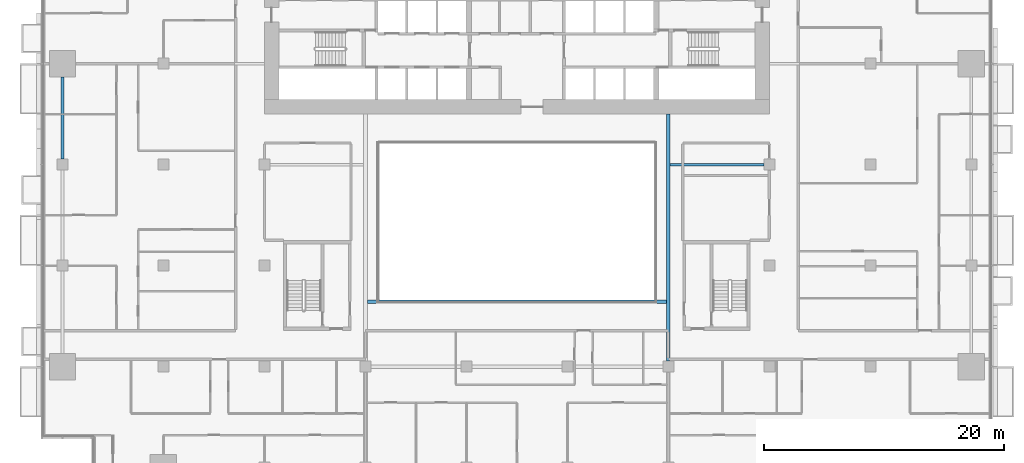
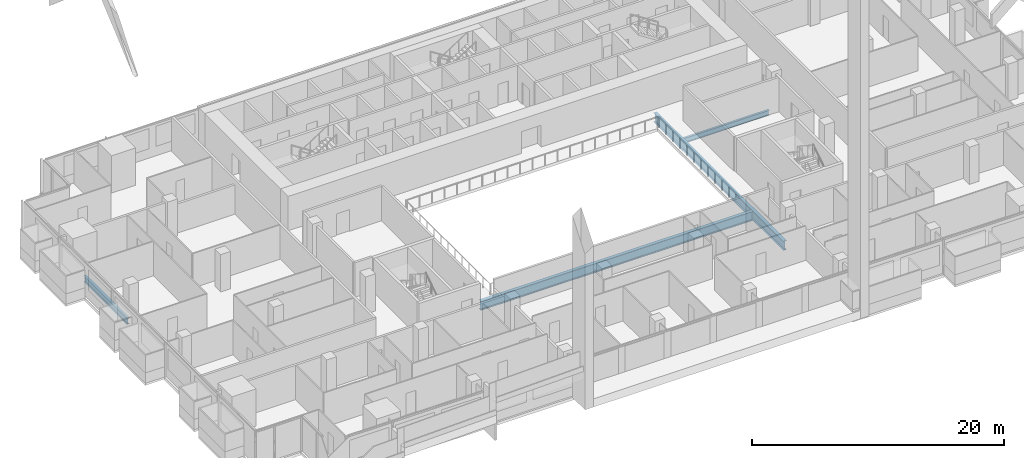
# One storey, part 7 of 30: 4 beams.
"""IFC4 building model written with IfcOpenShell, lengths in metres."""

from ifc_helpers import new_model, si_unit, direction, frame, origin, origin_2d, place, context, subcontext, project, spatial, i_section, extrude, material, material_profile, profile_set, type_object, element, save


model = new_model("IFC4")

# Units and contexts
model_context = context("Model", 3, precision=1e-05, world=origin(), true_north=direction((0.0, 1.0)))
body_context = subcontext(model_context, "Body", "Model", "MODEL_VIEW")
ifc_project = project(units=[si_unit("LENGTHUNIT", "METRE"), si_unit("AREAUNIT", "SQUARE_METRE"), si_unit("VOLUMEUNIT", "CUBIC_METRE"), si_unit("PLANEANGLEUNIT", "RADIAN"), si_unit("MASSUNIT", "GRAM", prefix="KILO")], contexts=[model_context])

# Site, building, storey
site_placement = place(None, origin())
site = spatial("IfcSite", under=ifc_project, at=site_placement, CompositionType="ELEMENT")
building_placement = place(site_placement, origin())
building = spatial("IfcBuilding", under=site, at=building_placement, Name="Saffron Gate Tower", CompositionType="ELEMENT")
storey_placement = place(building_placement, frame((0.0, 0.0, 37.199951171875)))
storey = spatial("IfcBuildingStorey", under=building, at=storey_placement, Name="L07", CompositionType="ELEMENT", Elevation=37.199951171875)

# Beams
ifc_material = material(Name="Structural steel S355", Category="steel")
ifc_material_profile_1 = material_profile(ifc_material, i_section(OverallWidth=0.199951171875, OverallDepth=0.5, WebThickness=0.01025390625, FlangeThickness=0.01611328125, FilletRadius=0.02099609375, at=origin_2d()))
ifc_profile_set_1 = profile_set([ifc_material_profile_1], Name="Structural steel S355")
beam_type_1 = type_object("IfcBeamType", Name="B10 IPE 500", PredefinedType="BEAM", material=ifc_profile_set_1)
beam_1_placement = place(storey_placement, frame((108.14990234375, 57.0, -0.530029296875), z_axis=(-1.0, 0.0, 0.0), x_axis=(0.0, -1.0, 0.0)))
element("IfcBeam", 1, at=beam_1_placement, inside=storey, type_object=beam_type_1, Name="B10 CORE TIE BEAM", PredefinedType="BEAM", context=body_context, shape_type="SweptSolid", body=[
    extrude(i_section(OverallWidth=0.199951171875, OverallDepth=0.5, WebThickness=0.01025390625, FlangeThickness=0.01611328125, FilletRadius=0.02099609375, at=origin_2d()), origin(), (0.0, 0.0, 1.0), 7.7998046875),
])
ifc_material_profile_2 = material_profile(ifc_material, i_section(OverallWidth=0.219970703125, OverallDepth=0.60009765625, WebThickness=0.011962890625, FlangeThickness=0.01904296875, FilletRadius=0.02392578125, at=origin_2d()))
ifc_profile_set_2 = profile_set([ifc_material_profile_2], Name="Structural steel S355")
beam_type_2 = type_object("IfcBeamType", Name="B16 IPE 600", PredefinedType="SPANDREL", material=ifc_profile_set_2)
beam_2_placement = place(storey_placement, frame((49.800048828125, 57.449951171875, -0.579833984375), z_axis=(0.0, 1.0, 0.0), x_axis=(-1.0, 0.0, 0.0)))
element("IfcBeam", 2, at=beam_2_placement, inside=storey, type_object=beam_type_2, Name="B16 SPANDREL BEAM", PredefinedType="SPANDREL", context=body_context, shape_type="SweptSolid", body=[
    extrude(i_section(OverallWidth=0.219970703125, OverallDepth=0.60009765625, WebThickness=0.011962890625, FlangeThickness=0.01904296875, FilletRadius=0.02392578125, at=origin_2d()), origin(), (0.0, 0.0, 1.0), 6.85009765625),
])
ifc_material_profile_3 = material_profile(ifc_material, i_section(OverallWidth=0.300048828125, OverallDepth=0.889892578125, WebThickness=0.01611328125, FlangeThickness=0.030029296875, FilletRadius=0.030029296875, at=origin_2d()))
ifc_profile_set_3 = profile_set([ifc_material_profile_3], Name="Structural steel S355")
beam_type_3 = type_object("IfcBeamType", Name="B19 HEA 900", PredefinedType="BEAM", material=ifc_profile_set_3)
beam_3_placement = place(storey_placement, frame((100.199951171875, 40.64990234375, -0.724853515625), z_axis=(0.0, 1.0, 0.0), x_axis=(-1.0, 0.0, 0.0)))
element("IfcBeam", 3, at=beam_3_placement, inside=storey, type_object=beam_type_3, Name="B19 ATRIUM GIRDER", PredefinedType="BEAM", context=body_context, shape_type="SweptSolid", body=[
    extrude(i_section(OverallWidth=0.300048828125, OverallDepth=0.889892578125, WebThickness=0.01611328125, FlangeThickness=0.030029296875, FilletRadius=0.030029296875, at=origin_2d()), origin(), (0.0, 0.0, 1.0), 20.550048828125),
])
beam_4_placement = place(storey_placement, frame((75.14990234375, 45.60009765625, -0.724853515625), z_axis=(1.0, 0.0, 0.0), x_axis=(0.0, 1.0, 0.0)))
element("IfcBeam", 4, at=beam_4_placement, inside=storey, type_object=beam_type_3, Name="B19 ATRIUM GIRDER", PredefinedType="BEAM", context=body_context, shape_type="SweptSolid", body=[
    extrude(i_section(OverallWidth=0.300048828125, OverallDepth=0.889892578125, WebThickness=0.01611328125, FlangeThickness=0.030029296875, FilletRadius=0.030029296875, at=origin_2d()), origin(), (0.0, 0.0, 1.0), 24.900146484375),
])

save(model, "model.ifc")
